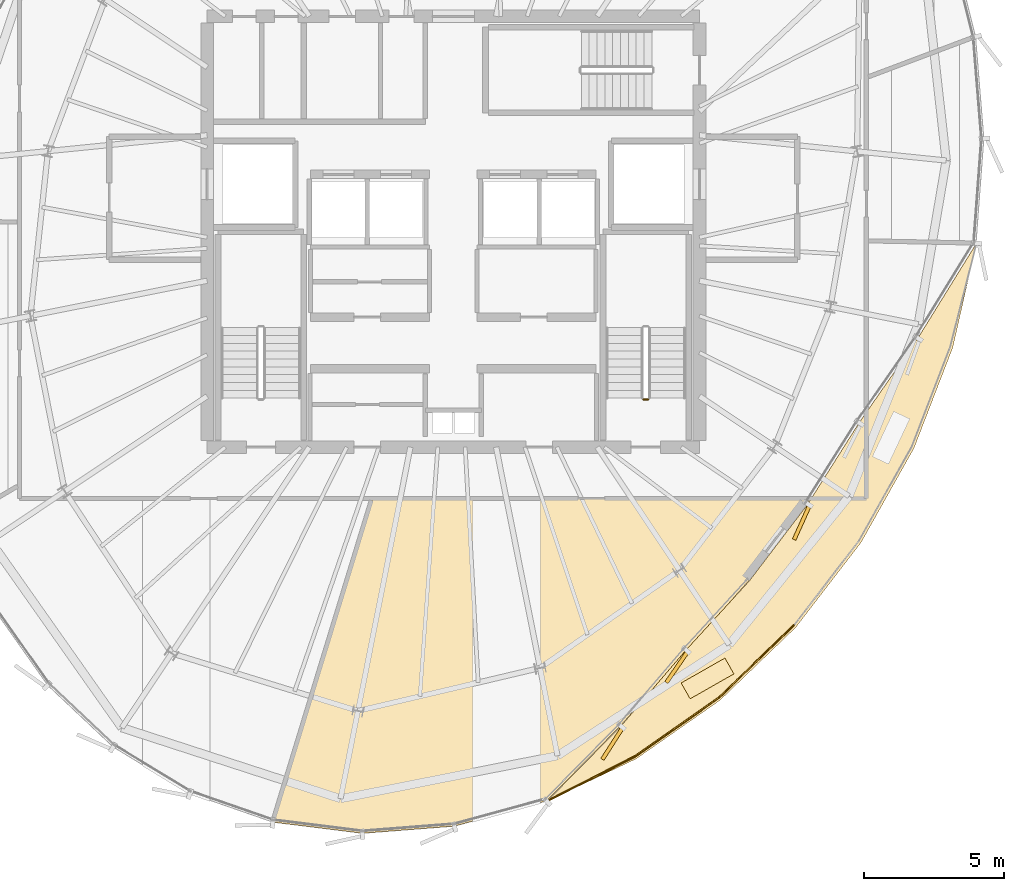
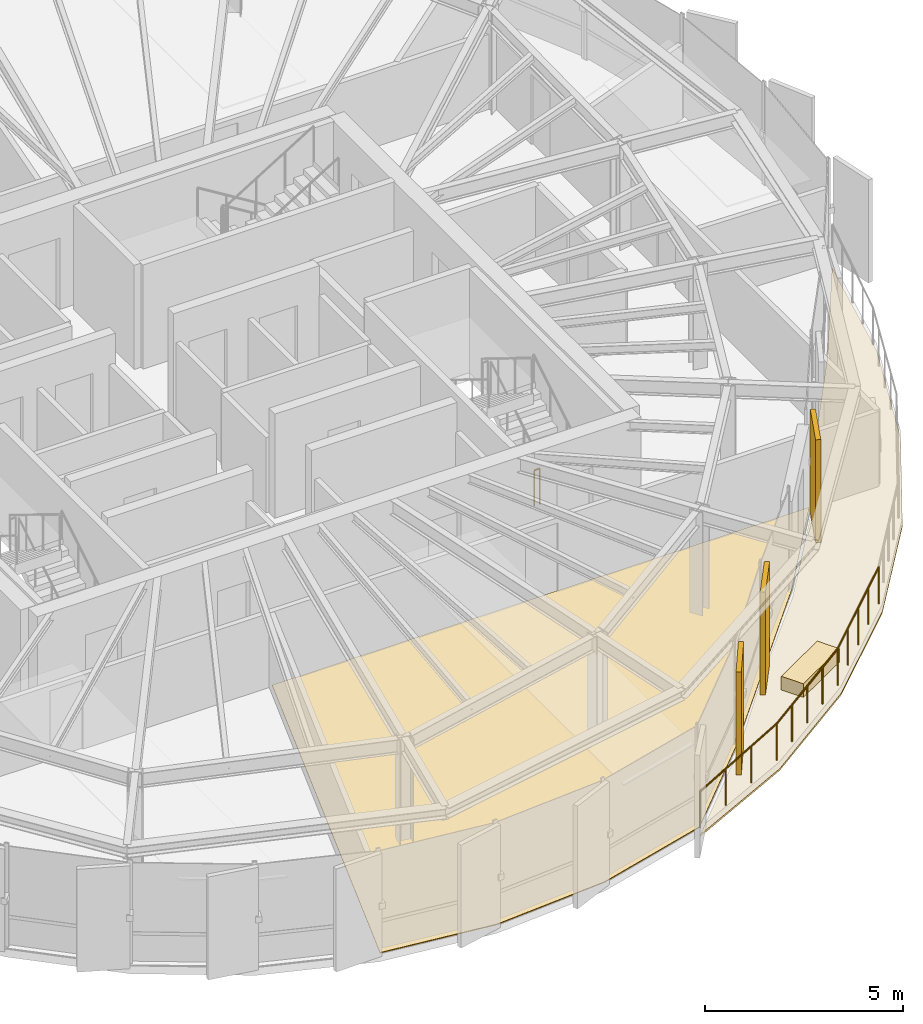
# One storey, part 28 of 30: 6 coverings, 4 railings.
"""IFC4 building model written with IfcOpenShell, lengths in metres."""

from ifc_helpers import new_model, si_unit, direction, frame, origin, origin_2d, place, context, subcontext, project, spatial, polyline, rectangle, circle, outline, extrude, source, transform, mapped, material, layer, layer_set, type_object, element, save


model = new_model("IFC4")

# Units and contexts
model_context = context("Model", 3, precision=1e-05, world=origin(), true_north=direction((0.0, 1.0)))
body_context = subcontext(model_context, "Body", "Model", "MODEL_VIEW")
ifc_project = project(units=[si_unit("LENGTHUNIT", "METRE"), si_unit("AREAUNIT", "SQUARE_METRE"), si_unit("VOLUMEUNIT", "CUBIC_METRE"), si_unit("PLANEANGLEUNIT", "RADIAN"), si_unit("MASSUNIT", "GRAM", prefix="KILO"), si_unit("THERMODYNAMICTEMPERATUREUNIT", "KELVIN")], contexts=[model_context])

# Site, building, storey
site_placement = place(None, origin())
site = spatial("IfcSite", under=ifc_project, at=site_placement, CompositionType="ELEMENT")
building_placement = place(site_placement, origin())
building = spatial("IfcBuilding", under=site, at=building_placement, Name="Kethvar Cultural Tower", CompositionType="ELEMENT")
storey_placement = place(building_placement, frame((0.0, 0.0, 293.949951171875)))
storey = spatial("IfcBuildingStorey", under=building, at=storey_placement, Name="L78", CompositionType="ELEMENT", Elevation=293.949951171875)

# Coverings
ifc_material_1 = material(Name="Architectural Oak Timber", Category="wood")
ifc_layer_1 = layer(ifc_material_1, 0.02490234375, Name="Architectural Oak Timber", Category="wood")
ifc_layer_set_1 = layer_set([ifc_layer_1], Name="Architectural Oak Timber (25 mm)")
covering_type_1 = type_object("IfcCoveringType", Name="CV-OAK-FLOOR", PredefinedType="FLOORING", material=ifc_layer_set_1)
covering_1_placement = place(storey_placement, origin())
element("IfcCovering", 1, at=covering_1_placement, inside=storey, type_object=covering_type_1, Name="L78 Room 02 Floor Finish", PredefinedType="FLOORING", context=body_context, shape_type="SweptSolid", body=[
    extrude(outline(polyline([(57.367431640625, 15.331298828125), (52.780517578125, 10.142578125), (50.1328125, 7.453369140625), (46.843994140625, 6.553466796875), (43.55078125, 6.298095703125), (40.378173828125, 6.693359375), (43.905517578125, 18.2490234375), (59.562255859375, 18.2490234375), (57.367431640625, 15.331298828125)])), origin(), (0.0, 0.0, 1.0), 0.025146484375),
])
ifc_material_2 = material(Name="Insulated Waterproofing Membrane")
ifc_layer_2 = layer(ifc_material_2, 0.06005859375, Name="Insulated Waterproofing Membrane")
ifc_layer_set_2 = layer_set([ifc_layer_2], Name="Insulated Waterproofing Membrane (60 mm)")
covering_type_2 = type_object("IfcCoveringType", Name="CV-ROOF-MEMB", PredefinedType="ROOFING", material=ifc_layer_set_2)
covering_2_placement = place(storey_placement, frame((0.0, 0.0, -0.27490234375)))
element("IfcCovering", 2, at=covering_2_placement, inside=storey, type_object=covering_type_2, Name="L78 Terrace Waterproofing", PredefinedType="ROOFING", context=body_context, shape_type="SweptSolid", body=[
    extrude(outline(polyline([(50.143310546875, 7.435302734375), (53.33740234375, 8.955810546875), (56.332763671875, 11.049072265625), (59.038818359375, 13.65087890625), (61.37255859375, 16.68310546875), (63.263916015625, 20.052734375), (64.65478515625, 23.657958984375), (65.503173828125, 27.388916015625), (63.407470703125, 23.99658203125), (61.3076171875, 20.973388671875), (59.452392578125, 18.03759765625), (57.3828125, 15.318603515625), (55.098876953125, 12.82421875), (52.795166015625, 10.129150390625), (50.143310546875, 7.435302734375)])), origin(), (0.0, 0.0, 1.0), 0.06005859375),
])

# Railings
ifc_material_3 = material(Name="Steel S355J2", Category="steel")
railing_type_1 = type_object("IfcRailingType", Name="RL-EXT-GUARD-1150", PredefinedType="BALUSTRADE", material=ifc_material_3)
railing_1_placement = place(storey_placement, frame((50.143310546875, 7.435302734375, 0.0)))
element("IfcRailing", 3, at=railing_1_placement, inside=storey, type_object=railing_type_1, Name="L78 Spiralling Terrace Balustrade 01", PredefinedType="BALUSTRADE", context=body_context, shape_type="SweptSolid", body=[
    extrude(circle(Radius=0.02392578125, at=origin_2d()), frame((0.0, 0.0, 1.1259765625), z_axis=(0.890514566306, 0.454954730932, 0.0), x_axis=(-0.454954730932, 0.890514566306, 0.0)), (0.0, 0.0, 1.0), 3.5498046875),
    extrude(circle(Radius=0.02099609375, at=origin_2d()), origin(), (0.0, 0.0, 1.0), 1.101806640625),
    extrude(circle(Radius=0.02099609375, at=origin_2d()), frame((1.0537109375, 0.538330078125, 0.0)), (0.0, 0.0, 1.0), 1.101806640625),
    extrude(circle(Radius=0.02099609375, at=origin_2d()), frame((2.107421875, 1.07666015625, 0.0)), (0.0, 0.0, 1.0), 1.101806640625),
    extrude(circle(Radius=0.02099609375, at=origin_2d()), frame((3.1611328125, 1.614990234375, 0.0)), (0.0, 0.0, 1.0), 1.101806640625),
])
railing_2_placement = place(storey_placement, frame((53.304443359375, 9.05029296875, 0.0)))
element("IfcRailing", 4, at=railing_2_placement, inside=storey, type_object=railing_type_1, Name="L78 Spiralling Terrace Balustrade 02", PredefinedType="BALUSTRADE", context=body_context, shape_type="SweptSolid", body=[
    extrude(circle(Radius=0.02392578125, at=origin_2d()), frame((0.0, 0.0, 1.1259765625), z_axis=(0.819159368112, 0.573565976705, 0.0), x_axis=(-0.573565976705, 0.819159368112, 0.0)), (0.0, 0.0, 1.0), 3.636474609375),
    extrude(circle(Radius=0.02099609375, at=origin_2d()), origin(), (0.0, 0.0, 1.0), 1.101806640625),
    extrude(circle(Radius=0.02099609375, at=origin_2d()), frame((0.74462890625, 0.521484375, 0.0)), (0.0, 0.0, 1.0), 1.101806640625),
    extrude(circle(Radius=0.02099609375, at=origin_2d()), frame((1.4892578125, 1.04296875, 0.0)), (0.0, 0.0, 1.0), 1.101806640625),
    extrude(circle(Radius=0.02099609375, at=origin_2d()), frame((2.234130859375, 1.564208984375, 0.0)), (0.0, 0.0, 1.0), 1.101806640625),
    extrude(circle(Radius=0.02099609375, at=origin_2d()), frame((2.978759765625, 2.085693359375, 0.0)), (0.0, 0.0, 1.0), 1.101806640625),
])
railing_3_placement = place(storey_placement, frame((56.283203125, 11.135986328125, 0.0)))
element("IfcRailing", 5, at=railing_3_placement, inside=storey, type_object=railing_type_1, Name="L78 Spiralling Terrace Balustrade 03", PredefinedType="BALUSTRADE", context=body_context, shape_type="SweptSolid", body=[
    extrude(circle(Radius=0.02392578125, at=origin_2d()), frame((0.0, 0.0, 1.1259765625), z_axis=(0.720316584377, 0.693645455742, 0.0), x_axis=(-0.693645455742, 0.720316584377, 0.0)), (0.0, 0.0, 1.0), 3.734619140625),
    extrude(circle(Radius=0.02099609375, at=origin_2d()), origin(), (0.0, 0.0, 1.0), 1.101806640625),
    extrude(circle(Radius=0.02099609375, at=origin_2d()), frame((0.672607421875, 0.647705078125, 0.0)), (0.0, 0.0, 1.0), 1.101806640625),
    extrude(circle(Radius=0.02099609375, at=origin_2d()), frame((1.34521484375, 1.29541015625, 0.0)), (0.0, 0.0, 1.0), 1.101806640625),
    extrude(circle(Radius=0.02099609375, at=origin_2d()), frame((2.017578125, 1.94287109375, 0.0)), (0.0, 0.0, 1.0), 1.101806640625),
    extrude(circle(Radius=0.02099609375, at=origin_2d()), frame((2.690185546875, 2.590576171875, 0.0)), (0.0, 0.0, 1.0), 1.101806640625),
])
railing_type_2 = type_object("IfcRailingType", Name="RL-STAIR-GUARD", PredefinedType="BALUSTRADE", material=ifc_material_3)
railing_4_placement = place(storey_placement, frame((53.760009765625, 21.800048828125, 0.0)))
element("IfcRailing", 6, at=railing_4_placement, inside=storey, type_object=railing_type_2, Name="L78 ST-02 stair guard 4", PredefinedType="BALUSTRADE", context=body_context, shape_type="SweptSolid", body=[
    extrude(circle(Radius=0.02392578125, at=origin_2d()), frame((0.0, 0.0, 1.09619140625), z_axis=(-1.0, 0.0, 0.0), x_axis=(0.0, -1.0, 0.0)), (0.0, 0.0, 1.0), 0.159912109375),
    extrude(circle(Radius=0.02099609375, at=origin_2d()), origin(), (0.0, 0.0, 1.0), 1.072021484375),
    extrude(circle(Radius=0.02099609375, at=origin_2d()), frame((-0.159912109375, 0.0, 0.0)), (0.0, 0.0, 1.0), 1.072021484375),
])

# Coverings
ifc_material_4 = material(Name="Extruded Architectural Terracotta", Category="masonry")
ifc_layer_3 = layer(ifc_material_4, 0.419921875, Name="Extruded Architectural Terracotta", Category="masonry")
ifc_layer_set_3 = layer_set([ifc_layer_3], Name="Extruded Architectural Terracotta (420 mm)")
covering_type_3 = type_object("IfcCoveringType", Name="Terracotta Terrace Planter PLANTER-01", PredefinedType="USERDEFINED", material=ifc_layer_set_3)
shared_shape_1 = source(origin(), body_context, "Body", "SweptSolid", [
    extrude(rectangle(XDim=1.800048828125, YDim=0.64990234375, at=origin_2d()), origin(), (0.0, 0.0, 1.0), 0.419921875),
])
covering_3_placement = place(storey_placement, frame((55.8876953125, 11.831298828125, 0.0), z_axis=(0.0, 0.0, 1.0), x_axis=(0.869149881167, 0.494548768138, 0.0)))
element("IfcCovering", 7, at=covering_3_placement, inside=storey, type_object=covering_type_3, Name="L78 Sky Terrace Planter Box A", ObjectType="PLANTER", PredefinedType="USERDEFINED", context=body_context, shape_type="MappedRepresentation", body=[
    mapped(shared_shape_1, transform((0.0, 0.0, 0.0), scale=1.0)),
])
ifc_layer_4 = layer(ifc_material_4, 0.135009765625, Name="Extruded Architectural Terracotta", Category="masonry")
ifc_layer_set_4 = layer_set([ifc_layer_4], Name="Extruded Architectural Terracotta (135 mm)")
covering_type_4 = type_object("IfcCoveringType", Name="Terracotta Facade Fin FIN-03", PredefinedType="CLADDING", material=ifc_layer_set_4)
shared_shape_2 = source(origin(), body_context, "Body", "SweptSolid", [
    extrude(rectangle(XDim=1.35009765625, YDim=0.135009765625, at=origin_2d()), origin(), (0.0, 0.0, 1.0), 3.169921875),
])
for number, where, z_axis, x_axis, name in (
    (8, (52.4931640625, 9.508056640625, 0.02001953125), (0.0, 0.0, 1.0), (-0.537593974759, -0.84320384149, 0.0), "L78 Vertical Terracotta Fin 4.6"),
    (9, (54.7998046875, 12.240234375, 0.02001953125), (0.0, 0.0, 1.0), (-0.566118528114, -0.824323851484, 0.0), "L78 Vertical Terracotta Fin 5.1"),
    (10, (59.261474609375, 17.409912109375, 0.02001953125), (0.0, 0.0, 1.0), (-0.411355282458, -0.911475085558, 0.0), "L78 Vertical Terracotta Fin 6.1"),
):
    element("IfcCovering", number, at=place(storey_placement, frame(where, z_axis=z_axis, x_axis=x_axis)), inside=storey, type_object=covering_type_4, Name=name, PredefinedType="CLADDING", context=body_context, shape_type="MappedRepresentation", body=[
        mapped(shared_shape_2, transform((0.0, 0.0, 0.0), scale=1.0)),
    ])

save(model, "model.ifc")
